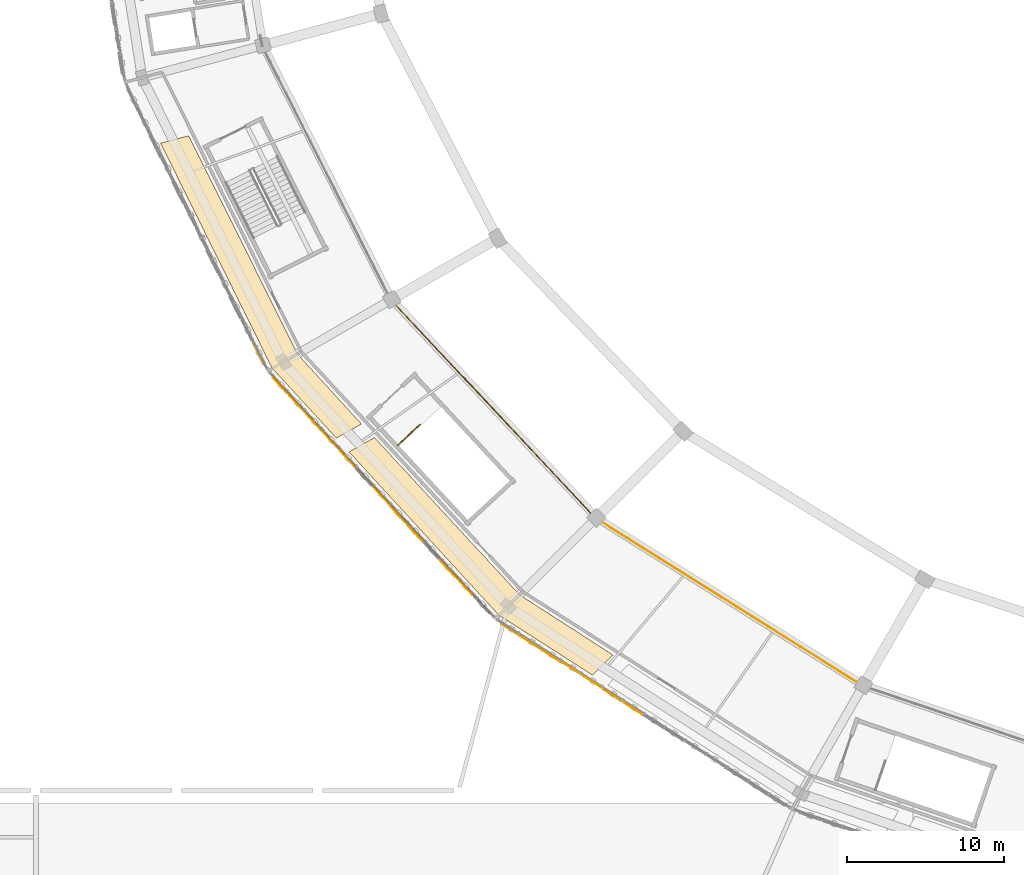
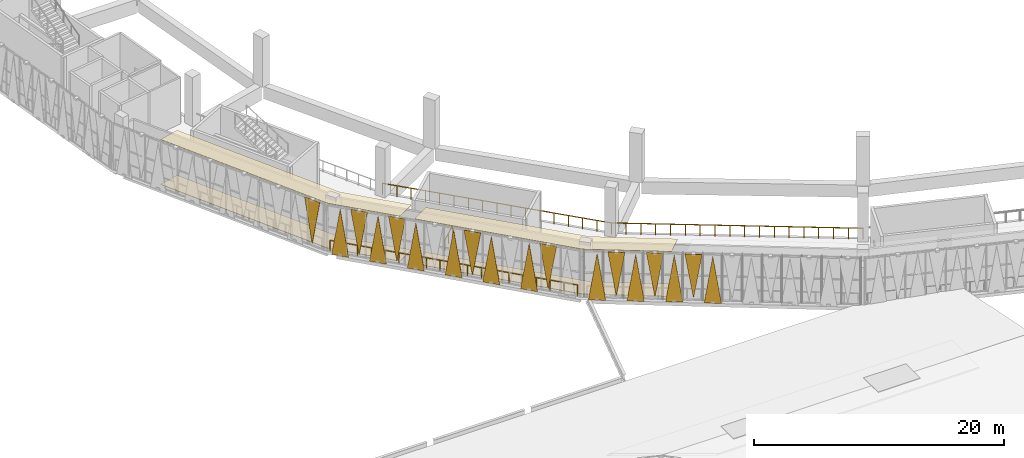
# One storey, part 83 of 108: 22 coverings, 4 railings.
"""IFC4 building model written with IfcOpenShell, lengths in metres."""

from ifc_helpers import new_model, si_unit, direction, frame, origin, origin_2d, place, context, subcontext, project, spatial, polyline, circle, outline, extrude, material, layer, layer_set, type_object, element, save


model = new_model("IFC4")

# Units and contexts
model_context = context("Model", 3, precision=1e-05, world=origin(), true_north=direction((0.0, 1.0)))
body_context = subcontext(model_context, "Body", "Model", "MODEL_VIEW")
ifc_project = project(units=[si_unit("LENGTHUNIT", "METRE"), si_unit("AREAUNIT", "SQUARE_METRE"), si_unit("VOLUMEUNIT", "CUBIC_METRE"), si_unit("PLANEANGLEUNIT", "RADIAN"), si_unit("MASSUNIT", "GRAM", prefix="KILO")], contexts=[model_context])

# Site, building, storey
site_placement = place(None, origin())
site = spatial("IfcSite", under=ifc_project, at=site_placement, CompositionType="ELEMENT")
building_placement = place(site_placement, origin())
building = spatial("IfcBuilding", under=site, at=building_placement, Name="Zevraka Park Crest Stadium", CompositionType="ELEMENT")
storey_placement = place(building_placement, frame((0.0, 0.0, 19.800048828125)))
storey = spatial("IfcBuildingStorey", under=building, at=storey_placement, Name="L04", CompositionType="ELEMENT", Elevation=19.800048828125)

# Coverings
ifc_material_1 = material(Name="Architectural golden-bronze perforated aluminium", Category="aluminium")
ifc_layer_1 = layer(ifc_material_1, 0.034912109375)
ifc_layer_set_1 = layer_set([ifc_layer_1], Name="Architectural golden-bronze perforated aluminium")
covering_type_1 = type_object("IfcCoveringType", Name="CLD01", PredefinedType="CLADDING", material=ifc_layer_set_1)
covering_1_placement = place(storey_placement, frame((32.52392578125, 54.22509765625, 4.52001953125), z_axis=(-0.895905829586, -0.444244013014, 3.7623183e-05), x_axis=(-0.444244013329, 0.89590583022, 0.0)))
element("IfcCovering", 1, at=covering_1_placement, inside=storey, type_object=covering_type_1, Name="Triangular Golden-Bronze Perforated Cladding L04-13-12", PredefinedType="CLADDING", context=body_context, shape_type="SweptSolid", body=[
    extrude(outline(polyline([(0.0, 0.0), (1.48107563553828, 0.0), (0.7399367712402792, 4.300048831168367), (0.0, 0.0)])), origin(), (0.0, 0.0, -1.0), 0.034912109375),
])
covering_2_placement = place(storey_placement, frame((33.116943359375, 53.360107421875, -0.219970703125), z_axis=(-0.736606499775, -0.676321568847, 1.606827e-06), x_axis=(0.676321568848, -0.736606499776, 0.0)))
element("IfcCovering", 2, at=covering_2_placement, inside=storey, type_object=covering_type_1, Name="Triangular Golden-Bronze Perforated Cladding L04-14-1", PredefinedType="CLADDING", context=body_context, shape_type="SweptSolid", body=[
    extrude(outline(polyline([(0.0, 0.0), (1.4255220778597701, -2.117582368135751e-22), (0.7129335155007621, 4.579833984380912), (0.0, 0.0)])), origin(), (0.0, 0.0, -1.0), 0.034912109375),
])
covering_3_placement = place(storey_placement, frame((35.153076171875, 51.14208984375, 4.52001953125), z_axis=(-0.73652814677, -0.67640689572, 2.0908651e-05), x_axis=(-0.676406895868, 0.736528146931, 0.0)))
element("IfcCovering", 3, at=covering_3_placement, inside=storey, type_object=covering_type_1, Name="Triangular Golden-Bronze Perforated Cladding L04-14-2", PredefinedType="CLADDING", context=body_context, shape_type="SweptSolid", body=[
    extrude(outline(polyline([(0.0, 0.0), (1.4253422518524892, 3.3881317890172014e-21), (0.7127536951274003, 4.30004882906493), (0.0, 0.0)])), origin(), (0.0, 0.0, -1.0), 0.034912109375),
])
covering_4_placement = place(storey_placement, frame((35.260986328125, 51.02392578125, -0.219970703125), z_axis=(-0.736869542988, -0.676034964439, 5.8921281e-05), x_axis=(0.676034965613, -0.736869544267, 0.0)))
element("IfcCovering", 4, at=covering_4_placement, inside=storey, type_object=covering_type_1, Name="Triangular Golden-Bronze Perforated Cladding L04-14-3", PredefinedType="CLADDING", context=body_context, shape_type="SweptSolid", body=[
    extrude(outline(polyline([(0.0, 0.0), (1.4246818798077332, 0.0), (0.7125885113024064, 4.579833992324945), (0.0, 0.0)])), origin(), (0.0, 0.0, -1.0), 0.034912109375),
])
covering_5_placement = place(storey_placement, frame((37.2958984375, 48.805908203125, 4.52001953125), z_axis=(-0.73703320263, -0.675856533637, 6.4505657e-05), x_axis=(-0.675856535043, 0.737033204163, 0.0)))
element("IfcCovering", 5, at=covering_5_placement, inside=storey, type_object=covering_type_1, Name="Triangular Golden-Bronze Perforated Cladding L04-14-4", PredefinedType="CLADDING", context=body_context, shape_type="SweptSolid", body=[
    extrude(outline(polyline([(0.0, 0.0), (1.4246967737590959, 0.0), (0.7127683648268546, 4.300048837071208), (0.0, 0.0)])), origin(), (0.0, 0.0, -1.0), 0.034912109375),
])
covering_6_placement = place(storey_placement, frame((37.404052734375, 48.68798828125, -0.219970703125), z_axis=(-0.736378282027, -0.676570038968, 9.0166059e-05), x_axis=(0.676570041718, -0.736378285021, 0.0)))
element("IfcCovering", 6, at=covering_6_placement, inside=storey, type_object=covering_type_1, Name="Triangular Golden-Bronze Perforated Cladding L04-14-5", PredefinedType="CLADDING", context=body_context, shape_type="SweptSolid", body=[
    extrude(outline(polyline([(0.0, 0.0), (1.4246376990809737, 1.3552527156068805e-20), (0.7118693999036334, 4.579834002991838), (0.0, 0.0)])), origin(), (0.0, 0.0, -1.0), 0.034912109375),
])
covering_7_placement = place(storey_placement, frame((39.548095703125, 46.35302734375, -0.219970703125), z_axis=(-0.737033202812, -0.675856533804, 6.0564963e-05), x_axis=(0.675856535043, -0.737033204163, 0.0)))
element("IfcCovering", 7, at=covering_7_placement, inside=storey, type_object=covering_type_1, Name="Triangular Golden-Bronze Perforated Cladding L04-14-7", PredefinedType="CLADDING", context=body_context, shape_type="SweptSolid", body=[
    extrude(outline(polyline([(0.0, 0.0), (1.4246967737590959, 6.776263578034403e-21), (0.7127683648268546, 4.579833992774678), (0.0, 0.0)])), origin(), (0.0, 0.0, -1.0), 0.034912109375),
])
covering_8_placement = place(storey_placement, frame((41.5830078125, 44.135009765625, 4.52001953125), z_axis=(0.736606499774, 0.676321568847, 1.711376e-06), x_axis=(-0.676321568848, 0.736606499776, 0.0)))
element("IfcCovering", 8, at=covering_8_placement, inside=storey, type_object=covering_type_1, Name="Triangular Golden-Bronze Perforated Cladding L04-14-8", PredefinedType="CLADDING", context=body_context, shape_type="SweptSolid", body=[
    extrude(outline(polyline([(0.0, 0.0), (1.4255220778597701, -2.117582368135751e-22), (0.7125885623590082, -4.300048828131297), (0.0, 0.0)])), origin(), (0.0, 0.0, -1.0), 0.034912109375),
])
covering_9_placement = place(storey_placement, frame((41.69091796875, 44.01708984375, -0.219970703125), z_axis=(0.736292908561, 0.676662949943, 7.0553383e-05), x_axis=(0.676662951627, -0.736292910393, 0.0)))
element("IfcCovering", 9, at=covering_9_placement, inside=storey, type_object=covering_type_1, Name="Triangular Golden-Bronze Perforated Cladding L04-14-9", PredefinedType="CLADDING", context=body_context, shape_type="SweptSolid", body=[
    extrude(outline(polyline([(0.0, 0.0), (1.4248028886560142, -1.3552527156068805e-20), (0.7129334423142855, -4.579833995773702), (0.0, 0.0)])), origin(), (0.0, 0.0, -1.0), 0.034912109375),
])
covering_10_placement = place(storey_placement, frame((43.8349609375, 41.681884765625, -0.219970703125), z_axis=(0.736869540714, 0.676034962353, 9.8202135e-05), x_axis=(0.676034965613, -0.736869544267, 0.0)))
element("IfcCovering", 10, at=covering_10_placement, inside=storey, type_object=covering_type_1, Name="Triangular Golden-Bronze Perforated Cladding L04-14-11", PredefinedType="CLADDING", context=body_context, shape_type="SweptSolid", body=[
    extrude(outline(polyline([(0.0, 0.0), (1.4246818798077332, 1.3552527156068805e-20), (0.7119283209063001, -4.57983400645818), (0.0, 0.0)])), origin(), (0.0, 0.0, -1.0), 0.034912109375),
])
covering_11_placement = place(storey_placement, frame((45.8701171875, 39.464111328125, 4.52001953125), z_axis=(-0.73652814677, -0.67640689572, 2.0908651e-05), x_axis=(-0.676406895868, 0.736528146931, 0.0)))
element("IfcCovering", 11, at=covering_11_placement, inside=storey, type_object=covering_type_1, Name="Triangular Golden-Bronze Perforated Cladding L04-14-12", PredefinedType="CLADDING", context=body_context, shape_type="SweptSolid", body=[
    extrude(outline(polyline([(0.0, 0.0), (1.4253422518524892, 3.3881317890172014e-21), (0.7127536951274003, 4.30004882906493), (0.0, 0.0)])), origin(), (0.0, 0.0, -1.0), 0.034912109375),
])
covering_12_placement = place(storey_placement, frame((47.74609375, 37.6201171875, -0.219970703125), z_axis=(0.539874501649, 0.841745505676, 0.000161691842), x_axis=(0.841745516679, -0.539874508706, 0.0)))
element("IfcCovering", 12, at=covering_12_placement, inside=storey, type_object=covering_type_1, Name="Triangular Golden-Bronze Perforated Cladding L04-15-1", PredefinedType="CLADDING", context=body_context, shape_type="SweptSolid", body=[
    extrude(outline(polyline([(0.0, 0.0), (1.3837851212687016, -2.710505431213761e-20), (0.6916424105429726, -4.579834044243167), (0.0, 0.0)])), origin(), (0.0, 0.0, -1.0), 0.034912109375),
])
covering_13_placement = place(storey_placement, frame((50.2099609375, 36.0390625, 4.52001953125), z_axis=(0.539990084002, 0.841671369899, 0.000119467349), x_axis=(-0.841671375905, 0.539990087855, 0.0)))
element("IfcCovering", 13, at=covering_13_placement, inside=storey, type_object=covering_type_1, Name="Triangular Golden-Bronze Perforated Cladding L04-15-2", PredefinedType="CLADDING", context=body_context, shape_type="SweptSolid", body=[
    extrude(outline(polyline([(0.0, 0.0), (1.3830368161779776, 0.0), (0.6918479918828457, -4.300048858811111), (0.0, 0.0)])), origin(), (0.0, 0.0, -1.0), 0.034912109375),
])
covering_14_placement = place(storey_placement, frame((50.344970703125, 35.952880859375, -0.219970703125), z_axis=(0.540169191028, 0.841556441261, 3.5159665e-05), x_axis=(0.841556441782, -0.540169191361, 0.0)))
element("IfcCovering", 14, at=covering_14_placement, inside=storey, type_object=covering_type_1, Name="Triangular Golden-Bronze Perforated Cladding L04-15-3", PredefinedType="CLADDING", context=body_context, shape_type="SweptSolid", body=[
    extrude(outline(polyline([(0.0, 0.0), (1.3843861262991644, 3.3881317890172014e-21), (0.6917162082962512, -4.5798339872058005), (0.0, 0.0)])), origin(), (0.0, 0.0, -1.0), 0.034912109375),
])
covering_15_placement = place(storey_placement, frame((52.80908203125, 34.3720703125, 4.52001953125), z_axis=(-0.539669320832, -0.841877083691, 1.0417134e-05), x_axis=(-0.841877083737, 0.539669320861, 0.0)))
element("IfcCovering", 15, at=covering_15_placement, inside=storey, type_object=covering_type_1, Name="Triangular Golden-Bronze Perforated Cladding L04-15-4", PredefinedType="CLADDING", context=body_context, shape_type="SweptSolid", body=[
    extrude(outline(polyline([(0.0, 0.0), (1.383858861354129, 0.0), (0.6913207250743385, 4.300048828358313), (0.0, 0.0)])), origin(), (0.0, 0.0, -1.0), 0.034912109375),
])
covering_16_placement = place(storey_placement, frame((52.944091796875, 34.284912109375, -0.219970703125), z_axis=(-0.539749483786, -0.841825690468, 4.0257504e-05), x_axis=(0.84182569115, -0.539749484223, 0.0)))
element("IfcCovering", 16, at=covering_16_placement, inside=storey, type_object=covering_type_1, Name="Triangular Golden-Bronze Perforated Cladding L04-15-5", PredefinedType="CLADDING", context=body_context, shape_type="SweptSolid", body=[
    extrude(outline(polyline([(0.0, 0.0), (1.3836533312297754, 0.0), (0.6909834190478873, 4.579833988086193), (0.0, 0.0)])), origin(), (0.0, 0.0, -1.0), 0.034912109375),
])
covering_17_placement = place(storey_placement, frame((55.407958984375, 32.7041015625, 4.52001953125), z_axis=(0.540169190983, 0.841556441191, 3.7447349e-05), x_axis=(-0.841556441782, 0.540169191361, 0.0)))
element("IfcCovering", 17, at=covering_17_placement, inside=storey, type_object=covering_type_1, Name="Triangular Golden-Bronze Perforated Cladding L04-15-6", PredefinedType="CLADDING", context=body_context, shape_type="SweptSolid", body=[
    extrude(outline(polyline([(0.0, 0.0), (1.3843861262991644, 6.776263578034403e-21), (0.6917162082962512, -4.300048831139988), (0.0, 0.0)])), origin(), (0.0, 0.0, -1.0), 0.034912109375),
])
covering_18_placement = place(storey_placement, frame((55.54296875, 32.617919921875, -0.219970703125), z_axis=(0.539669313088, 0.84187707161, 0.000169733531), x_axis=(0.841877083737, -0.539669320861, 0.0)))
element("IfcCovering", 18, at=covering_18_placement, inside=storey, type_object=covering_type_1, Name="Triangular Golden-Bronze Perforated Cladding L04-15-7", PredefinedType="CLADDING", context=body_context, shape_type="SweptSolid", body=[
    extrude(outline(polyline([(0.0, 0.0), (1.383858861354129, 0.0), (0.6918477458954921, -4.5798340503462995), (0.0, 0.0)])), origin(), (0.0, 0.0, -1.0), 0.034912109375),
])
ifc_material_2 = material(Name="Perforated acoustic mineral-fibre suspended ceiling", Category="other")
ifc_layer_2 = layer(ifc_material_2, 0.02490234375)
ifc_layer_set_2 = layer_set([ifc_layer_2], Name="Perforated acoustic mineral-fibre suspended ceiling")
covering_type_2 = type_object("IfcCoveringType", Name="CLG01", PredefinedType="CEILING", material=ifc_layer_set_2)
covering_19_placement = place(storey_placement, frame((0.0, 0.0, 4.39990234375)))
element("IfcCovering", 19, at=covering_19_placement, inside=storey, type_object=covering_type_2, Name="Acoustic Ceiling Hospitality Suite L04-034", PredefinedType="CEILING", context=body_context, shape_type="SweptSolid", body=[
    extrude(outline(polyline([(25.958984375, 68.33203125), (27.758056640625, 68.802001953125), (34.693115234375, 54.881103515625), (34.701904296875, 54.864990234375), (34.712890625, 54.84912109375), (34.72412109375, 54.8349609375), (38.785888671875, 50.39306640625), (37.18505859375, 49.491943359375), (33.080078125, 53.962890625), (25.958984375, 68.33203125)])), origin(), (0.0, 0.0, 1.0), 0.025146484375),
])
covering_20_placement = place(storey_placement, frame((0.0, 0.0, 4.39990234375)))
element("IfcCovering", 20, at=covering_20_placement, inside=storey, type_object=covering_type_2, Name="Acoustic Ceiling Hospitality Suite L04-035", PredefinedType="CEILING", context=body_context, shape_type="SweptSolid", body=[
    extrude(outline(polyline([(37.9951171875, 48.60693359375), (39.617919921875, 49.531005859375), (48.8779296875, 39.49609375), (48.889892578125, 39.48388671875), (48.903076171875, 39.47412109375), (48.9169921875, 39.464111328125), (54.85400390625, 35.64208984375), (53.5400390625, 34.35595703125), (47.551025390625, 38.196044921875), (37.9951171875, 48.60693359375)])), origin(), (0.0, 0.0, 1.0), 0.025146484375),
])
ifc_material_3 = material(Name="Honed terrazzo and slip-resistant sports flooring", Category="other")
ifc_layer_3 = layer(ifc_material_3, 0.0400390625)
ifc_layer_set_3 = layer_set([ifc_layer_3], Name="Honed terrazzo and slip-resistant sports flooring")
covering_type_3 = type_object("IfcCoveringType", Name="FLR01", PredefinedType="FLOORING", material=ifc_layer_set_3)
covering_21_placement = place(storey_placement, origin())
element("IfcCovering", 21, at=covering_21_placement, inside=storey, type_object=covering_type_3, Name="Terrazzo Floor Finish Hospitality Suite L04-034", PredefinedType="FLOORING", context=body_context, shape_type="SweptSolid", body=[
    extrude(outline(polyline([(25.958984375, 68.33203125), (27.758056640625, 68.802001953125), (34.693115234375, 54.881103515625), (34.701904296875, 54.864990234375), (34.712890625, 54.84912109375), (34.72412109375, 54.8349609375), (38.785888671875, 50.39306640625), (37.18505859375, 49.491943359375), (33.080078125, 53.962890625), (25.958984375, 68.33203125)])), origin(), (0.0, 0.0, 1.0), 0.0400390625),
])
covering_22_placement = place(storey_placement, origin())
element("IfcCovering", 22, at=covering_22_placement, inside=storey, type_object=covering_type_3, Name="Terrazzo Floor Finish Hospitality Suite L04-035", PredefinedType="FLOORING", context=body_context, shape_type="SweptSolid", body=[
    extrude(outline(polyline([(37.9951171875, 48.60693359375), (39.617919921875, 49.531005859375), (48.8779296875, 39.49609375), (48.889892578125, 39.48388671875), (48.903076171875, 39.47412109375), (48.9169921875, 39.464111328125), (54.85400390625, 35.64208984375), (53.5400390625, 34.35595703125), (47.551025390625, 38.196044921875), (37.9951171875, 48.60693359375)])), origin(), (0.0, 0.0, 1.0), 0.0400390625),
])

# Railings
ifc_material_4 = material(Name="Galvanised and bronze-finished steel balustrade", Category="steel")
railing_type_1 = type_object("IfcRailingType", Name="GR01", PredefinedType="GUARDRAIL", material=ifc_material_4)
railing_1_placement = place(storey_placement, frame((47.09912109375, 38.22802734375, 0.0)))
element("IfcRailing", 23, at=railing_1_placement, inside=storey, type_object=railing_type_1, Name="Deck Edge Protection Guardrail GR01 L04-22", PredefinedType="GUARDRAIL", context=body_context, shape_type="SweptSolid", body=[
    extrude(circle(Radius=0.02392578125, at=origin_2d()), frame((0.0, 0.0, 1.076171875), z_axis=(-0.676169432766, 0.736746155873, 0.0), x_axis=(-0.736746155873, -0.676169432766, 0.0)), (0.0, 0.0, 1.0), 20.747802734375),
    extrude(circle(Radius=0.02099609375, at=origin_2d()), origin(), (0.0, 0.0, 1.0), 1.052001953125),
    extrude(circle(Radius=0.02099609375, at=origin_2d()), frame((-0.779296875, 0.84912109375, 0.0)), (0.0, 0.0, 1.0), 1.052001953125),
    extrude(circle(Radius=0.02099609375, at=origin_2d()), frame((-1.558837890625, 1.698486328125, 0.0)), (0.0, 0.0, 1.0), 1.052001953125),
    extrude(circle(Radius=0.02099609375, at=origin_2d()), frame((-2.338134765625, 2.547607421875, 0.0)), (0.0, 0.0, 1.0), 1.052001953125),
    extrude(circle(Radius=0.02099609375, at=origin_2d()), frame((-3.11767578125, 3.39697265625, 0.0)), (0.0, 0.0, 1.0), 1.052001953125),
    extrude(circle(Radius=0.02099609375, at=origin_2d()), frame((-3.89697265625, 4.24609375, 0.0)), (0.0, 0.0, 1.0), 1.052001953125),
    extrude(circle(Radius=0.02099609375, at=origin_2d()), frame((-4.67626953125, 5.09521484375, 0.0)), (0.0, 0.0, 1.0), 1.052001953125),
    extrude(circle(Radius=0.02099609375, at=origin_2d()), frame((-5.455810546875, 5.944580078125, 0.0)), (0.0, 0.0, 1.0), 1.052001953125),
    extrude(circle(Radius=0.02099609375, at=origin_2d()), frame((-6.235107421875, 6.793701171875, 0.0)), (0.0, 0.0, 1.0), 1.052001953125),
    extrude(circle(Radius=0.02099609375, at=origin_2d()), frame((-7.0146484375, 7.64306640625, 0.0)), (0.0, 0.0, 1.0), 1.052001953125),
    extrude(circle(Radius=0.02099609375, at=origin_2d()), frame((-7.7939453125, 8.4921875, 0.0)), (0.0, 0.0, 1.0), 1.052001953125),
    extrude(circle(Radius=0.02099609375, at=origin_2d()), frame((-8.5732421875, 9.34130859375, 0.0)), (0.0, 0.0, 1.0), 1.052001953125),
    extrude(circle(Radius=0.02099609375, at=origin_2d()), frame((-9.352783203125, 10.190673828125, 0.0)), (0.0, 0.0, 1.0), 1.052001953125),
    extrude(circle(Radius=0.02099609375, at=origin_2d()), frame((-10.132080078125, 11.039794921875, 0.0)), (0.0, 0.0, 1.0), 1.052001953125),
    extrude(circle(Radius=0.02099609375, at=origin_2d()), frame((-10.911376953125, 11.888916015625, 0.0)), (0.0, 0.0, 1.0), 1.052001953125),
    extrude(circle(Radius=0.02099609375, at=origin_2d()), frame((-11.69091796875, 12.73828125, 0.0)), (0.0, 0.0, 1.0), 1.052001953125),
    extrude(circle(Radius=0.02099609375, at=origin_2d()), frame((-12.47021484375, 13.58740234375, 0.0)), (0.0, 0.0, 1.0), 1.052001953125),
    extrude(circle(Radius=0.02099609375, at=origin_2d()), frame((-13.249755859375, 14.436767578125, 0.0)), (0.0, 0.0, 1.0), 1.052001953125),
    extrude(circle(Radius=0.02099609375, at=origin_2d()), frame((-14.029052734375, 15.285888671875, 0.0)), (0.0, 0.0, 1.0), 1.052001953125),
])
railing_2_placement = place(storey_placement, frame((53.7490234375, 44.3701171875, 0.0)))
element("IfcRailing", 24, at=railing_2_placement, inside=storey, type_object=railing_type_1, Name="Deck Edge Protection Guardrail GR01 L04-25", PredefinedType="GUARDRAIL", context=body_context, shape_type="SweptSolid", body=[
    extrude(circle(Radius=0.02392578125, at=origin_2d()), frame((0.0, 0.0, 1.076171875), z_axis=(0.846940082037, -0.531688346157, 0.0), x_axis=(0.531688346157, 0.846940082037, 0.0)), (0.0, 0.0, 1.0), 20.16064453125),
    extrude(circle(Radius=0.02099609375, at=origin_2d()), origin(), (0.0, 0.0, 1.0), 1.052001953125),
    extrude(circle(Radius=0.02099609375, at=origin_2d()), frame((1.00439453125, -0.630615234375, 0.0)), (0.0, 0.0, 1.0), 1.052001953125),
    extrude(circle(Radius=0.02099609375, at=origin_2d()), frame((2.0087890625, -1.260986328125, 0.0)), (0.0, 0.0, 1.0), 1.052001953125),
    extrude(circle(Radius=0.02099609375, at=origin_2d()), frame((3.01318359375, -1.8916015625, 0.0)), (0.0, 0.0, 1.0), 1.052001953125),
    extrude(circle(Radius=0.02099609375, at=origin_2d()), frame((4.017578125, -2.522216796875, 0.0)), (0.0, 0.0, 1.0), 1.052001953125),
    extrude(circle(Radius=0.02099609375, at=origin_2d()), frame((5.02197265625, -3.15283203125, 0.0)), (0.0, 0.0, 1.0), 1.052001953125),
    extrude(circle(Radius=0.02099609375, at=origin_2d()), frame((6.0263671875, -3.783203125, 0.0)), (0.0, 0.0, 1.0), 1.052001953125),
    extrude(circle(Radius=0.02099609375, at=origin_2d()), frame((7.03076171875, -4.413818359375, 0.0)), (0.0, 0.0, 1.0), 1.052001953125),
    extrude(circle(Radius=0.02099609375, at=origin_2d()), frame((8.03515625, -5.04443359375, 0.0)), (0.0, 0.0, 1.0), 1.052001953125),
    extrude(circle(Radius=0.02099609375, at=origin_2d()), frame((9.039794921875, -5.6748046875, 0.0)), (0.0, 0.0, 1.0), 1.052001953125),
    extrude(circle(Radius=0.02099609375, at=origin_2d()), frame((10.044189453125, -6.305419921875, 0.0)), (0.0, 0.0, 1.0), 1.052001953125),
    extrude(circle(Radius=0.02099609375, at=origin_2d()), frame((11.048583984375, -6.93603515625, 0.0)), (0.0, 0.0, 1.0), 1.052001953125),
    extrude(circle(Radius=0.02099609375, at=origin_2d()), frame((12.052978515625, -7.56640625, 0.0)), (0.0, 0.0, 1.0), 1.052001953125),
    extrude(circle(Radius=0.02099609375, at=origin_2d()), frame((13.057373046875, -8.197021484375, 0.0)), (0.0, 0.0, 1.0), 1.052001953125),
    extrude(circle(Radius=0.02099609375, at=origin_2d()), frame((14.061767578125, -8.82763671875, 0.0)), (0.0, 0.0, 1.0), 1.052001953125),
    extrude(circle(Radius=0.02099609375, at=origin_2d()), frame((15.066162109375, -9.458251953125, 0.0)), (0.0, 0.0, 1.0), 1.052001953125),
    extrude(circle(Radius=0.02099609375, at=origin_2d()), frame((16.070556640625, -10.088623046875, 0.0)), (0.0, 0.0, 1.0), 1.052001953125),
    extrude(circle(Radius=0.02099609375, at=origin_2d()), frame((17.074951171875, -10.71923828125, 0.0)), (0.0, 0.0, 1.0), 1.052001953125),
])
railing_3_placement = place(storey_placement, frame((40.66796875, 58.31298828125, 0.0)))
element("IfcRailing", 25, at=railing_3_placement, inside=storey, type_object=railing_type_1, Name="Deck Edge Protection Guardrail GR01 L04-55", PredefinedType="GUARDRAIL", context=body_context, shape_type="SweptSolid", body=[
    extrude(circle(Radius=0.02392578125, at=origin_2d()), frame((0.0, 0.0, 1.076171875), z_axis=(0.684208692248, -0.729286271263, 0.0), x_axis=(0.729286271263, 0.684208692248, 0.0)), (0.0, 0.0, 1.0), 19.118408203125),
    extrude(circle(Radius=0.02099609375, at=origin_2d()), origin(), (0.0, 0.0, 1.0), 1.052001953125),
    extrude(circle(Radius=0.02099609375, at=origin_2d()), frame((0.817626953125, -0.871337890625, 0.0)), (0.0, 0.0, 1.0), 1.052001953125),
    extrude(circle(Radius=0.02099609375, at=origin_2d()), frame((1.63525390625, -1.742919921875, 0.0)), (0.0, 0.0, 1.0), 1.052001953125),
    extrude(circle(Radius=0.02099609375, at=origin_2d()), frame((2.45263671875, -2.6142578125, 0.0)), (0.0, 0.0, 1.0), 1.052001953125),
    extrude(circle(Radius=0.02099609375, at=origin_2d()), frame((3.270263671875, -3.48583984375, 0.0)), (0.0, 0.0, 1.0), 1.052001953125),
    extrude(circle(Radius=0.02099609375, at=origin_2d()), frame((4.087890625, -4.357177734375, 0.0)), (0.0, 0.0, 1.0), 1.052001953125),
    extrude(circle(Radius=0.02099609375, at=origin_2d()), frame((4.9052734375, -5.228515625, 0.0)), (0.0, 0.0, 1.0), 1.052001953125),
    extrude(circle(Radius=0.02099609375, at=origin_2d()), frame((5.722900390625, -6.10009765625, 0.0)), (0.0, 0.0, 1.0), 1.052001953125),
    extrude(circle(Radius=0.02099609375, at=origin_2d()), frame((6.54052734375, -6.971435546875, 0.0)), (0.0, 0.0, 1.0), 1.052001953125),
    extrude(circle(Radius=0.02099609375, at=origin_2d()), frame((7.358154296875, -7.8427734375, 0.0)), (0.0, 0.0, 1.0), 1.052001953125),
    extrude(circle(Radius=0.02099609375, at=origin_2d()), frame((8.17578125, -8.71435546875, 0.0)), (0.0, 0.0, 1.0), 1.052001953125),
    extrude(circle(Radius=0.02099609375, at=origin_2d()), frame((8.9931640625, -9.585693359375, 0.0)), (0.0, 0.0, 1.0), 1.052001953125),
    extrude(circle(Radius=0.02099609375, at=origin_2d()), frame((9.810791015625, -10.45703125, 0.0)), (0.0, 0.0, 1.0), 1.052001953125),
    extrude(circle(Radius=0.02099609375, at=origin_2d()), frame((10.62841796875, -11.32861328125, 0.0)), (0.0, 0.0, 1.0), 1.052001953125),
    extrude(circle(Radius=0.02099609375, at=origin_2d()), frame((11.44580078125, -12.199951171875, 0.0)), (0.0, 0.0, 1.0), 1.052001953125),
    extrude(circle(Radius=0.02099609375, at=origin_2d()), frame((12.263427734375, -13.071533203125, 0.0)), (0.0, 0.0, 1.0), 1.052001953125),
    extrude(circle(Radius=0.02099609375, at=origin_2d()), frame((13.0810546875, -13.94287109375, 0.0)), (0.0, 0.0, 1.0), 1.052001953125),
])
ifc_material_5 = material(Name="Powder-coated tubular steel stairwell guard", Category="steel")
railing_type_2 = type_object("IfcRailingType", Name="GR03", PredefinedType="GUARDRAIL", material=ifc_material_5)
railing_4_placement = place(storey_placement, frame((41.093505859375, 49.0283203125, 0.0)))
element("IfcRailing", 26, at=railing_4_placement, inside=storey, type_object=railing_type_2, Name="L04 ST15 top well guard 1", PredefinedType="GUARDRAIL", context=body_context, shape_type="SweptSolid", body=[
    extrude(circle(Radius=0.02392578125, at=origin_2d()), frame((0.0, 0.0, 1.076171875), z_axis=(0.733019701773, 0.680207407202, 0.0), x_axis=(-0.680207407202, 0.733019701773, 0.0)), (0.0, 0.0, 1.0), 1.9599609375),
    extrude(circle(Radius=0.02099609375, at=origin_2d()), origin(), (0.0, 0.0, 1.0), 1.052001953125),
    extrude(circle(Radius=0.02099609375, at=origin_2d()), frame((0.71826171875, 0.66650390625, 0.0)), (0.0, 0.0, 1.0), 1.052001953125),
    extrude(circle(Radius=0.02099609375, at=origin_2d()), frame((1.436767578125, 1.333251953125, 0.0)), (0.0, 0.0, 1.0), 1.052001953125),
])

save(model, "model.ifc")
